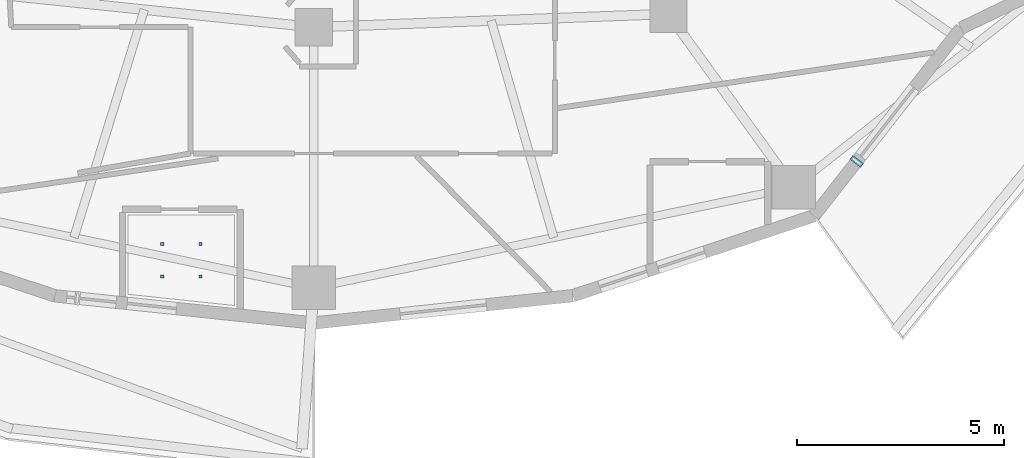
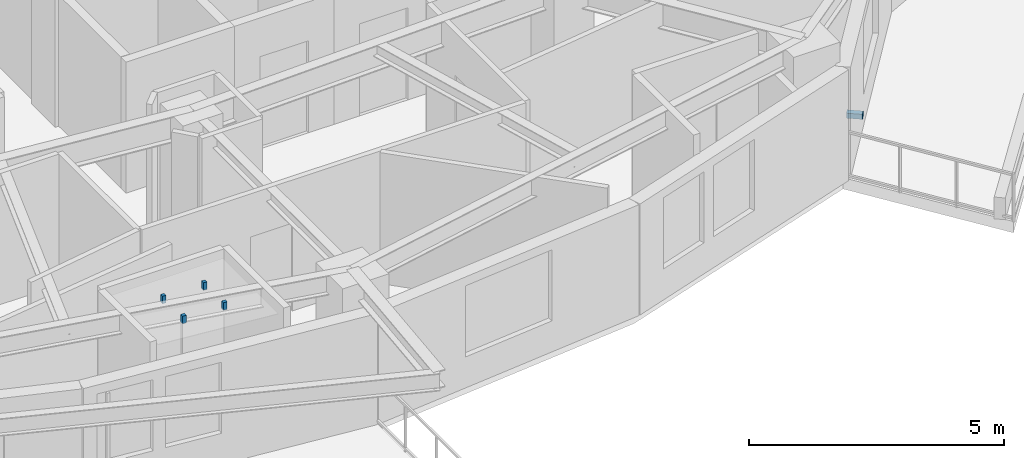
# One storey, part 8 of 14: 5 discrete accessories.
"""IFC4 building model written with IfcOpenShell, lengths in metres."""

from ifc_helpers import new_model, si_unit, direction, frame, origin, origin_2d, place, context, subcontext, project, spatial, rectangle, extrude, material, type_object, element, save


model = new_model("IFC4")

# Units and contexts
model_context = context("Model", 3, precision=1e-05, world=origin(), true_north=direction((0.0, 1.0)))
body_context = subcontext(model_context, "Body", "Model", "MODEL_VIEW")
ifc_project = project(units=[si_unit("LENGTHUNIT", "METRE"), si_unit("AREAUNIT", "SQUARE_METRE"), si_unit("VOLUMEUNIT", "CUBIC_METRE"), si_unit("PLANEANGLEUNIT", "RADIAN"), si_unit("MASSUNIT", "GRAM", prefix="KILO")], contexts=[model_context])

# Site, building, storey
site_placement = place(None, origin())
site = spatial("IfcSite", under=ifc_project, at=site_placement, CompositionType="ELEMENT")
building_placement = place(site_placement, origin())
building = spatial("IfcBuilding", under=site, at=building_placement, Name="Kolvaren Gate Tower and Convention Centre", CompositionType="ELEMENT")
storey_placement = place(building_placement, frame((0.0, 0.0, 105.300048828125)))
storey = spatial("IfcBuildingStorey", under=building, at=storey_placement, Name="L25", CompositionType="ELEMENT", Elevation=105.300048828125)

# Discrete accessories
ifc_material_1 = material(Name="Anodized Architectural Aluminium Alloy 6063-T6", Category="aluminium")
discrete_accessory_type_1 = type_object("IfcDiscreteAccessoryType", Name="ARCH-ACC-BRACKET-120", PredefinedType="BRACKET", material=ifc_material_1)
discrete_accessory_placement = place(storey_placement, frame((43.24755859375, 11.556640625, 0.289794921875), z_axis=(0.0, 0.0, 1.0), x_axis=(0.616424499081, 0.787414018756, 0.0)))
element("IfcDiscreteAccessory", 1, at=discrete_accessory_placement, inside=storey, type_object=discrete_accessory_type_1, Name="Ceramic Fin Wall Anchor Bracket FBK-L25-20", PredefinedType="BRACKET", context=body_context, shape_type="SweptSolid", body=[
    extrude(rectangle(XDim=0.1201171875, YDim=0.320068359375, at=origin_2d()), origin(), (0.0, 0.0, 1.0), 0.1201171875),
])
ifc_material_2 = material(Name="Brushed Stainless Steel Grade 316L", Category="steel")
discrete_accessory_type_2 = type_object("IfcDiscreteAccessoryType", Name="ARCH-ACC-HANGER-80", PredefinedType="BRACKET", material=ifc_material_2)
for number, where, z_axis, x_axis, name in (
    (2, (26.4619140625, 8.77294921875, 2.9501953125), (0.0, 0.0, 1.0), (1.0, 0.0, 0.0), "En-suite Bathroom (HTL-L25-01) Ceiling Suspension Hanger Clip 1"),
    (3, (27.387939453125, 8.77294921875, 2.9501953125), (0.0, 0.0, 1.0), (1.0, 0.0, 0.0), "En-suite Bathroom (HTL-L25-01) Ceiling Suspension Hanger Clip 2"),
    (4, (26.4619140625, 9.56005859375, 2.9501953125), (0.0, 0.0, 1.0), (1.0, 0.0, 0.0), "En-suite Bathroom (HTL-L25-01) Ceiling Suspension Hanger Clip 3"),
    (5, (27.387939453125, 9.56005859375, 2.9501953125), (0.0, 0.0, 1.0), (1.0, 0.0, 0.0), "En-suite Bathroom (HTL-L25-01) Ceiling Suspension Hanger Clip 4"),
):
    element("IfcDiscreteAccessory", number, at=place(storey_placement, frame(where, z_axis=z_axis, x_axis=x_axis)), inside=storey, type_object=discrete_accessory_type_2, Name=name, PredefinedType="BRACKET", context=body_context, shape_type="SweptSolid", body=[
        extrude(rectangle(XDim=0.080078125, YDim=0.080078125, at=origin_2d()), origin(), (0.0, 0.0, 1.0), 0.179931640625),
    ])

save(model, "model.ifc")
